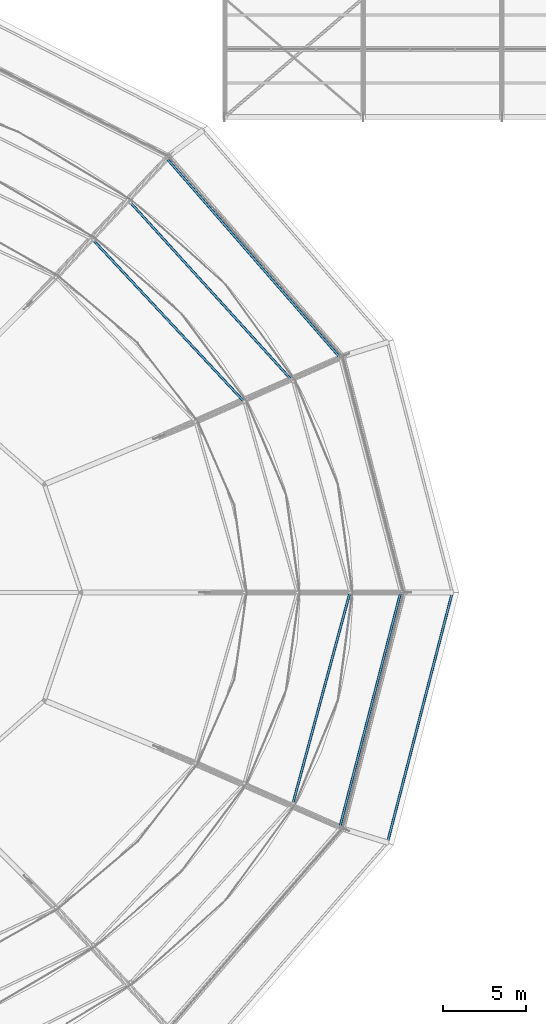
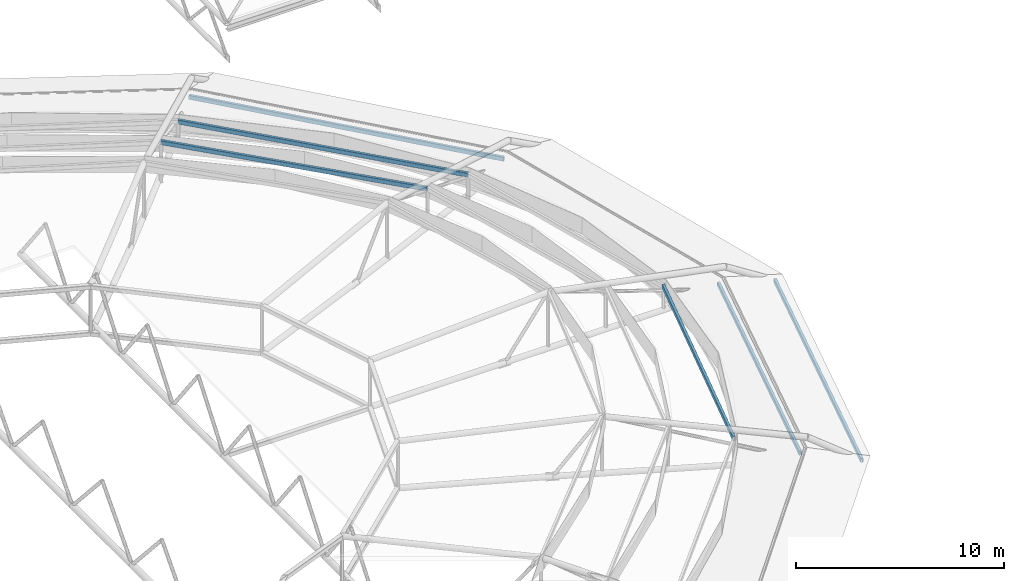
# One storey, part 38 of 134: 6 beams.
"""IFC4 building model written with IfcOpenShell, lengths in metres."""

from ifc_helpers import new_model, si_unit, derived_unit, direction, frame, origin, origin_2d, place, context, subcontext, project, spatial, hollow_rectangle, extrude, material, material_profile, profile_set, type_object, element, save


model = new_model("IFC4")

# Units and contexts
model_context = context("Model", 3, precision=1e-05, world=origin(), true_north=direction((0.0, 1.0)))
body_context = subcontext(model_context, "Body", "Model", "MODEL_VIEW")
ifc_project = project(units=[si_unit("LENGTHUNIT", "METRE"), si_unit("AREAUNIT", "SQUARE_METRE"), si_unit("VOLUMEUNIT", "CUBIC_METRE"), si_unit("PLANEANGLEUNIT", "RADIAN"), si_unit("MASSUNIT", "GRAM", prefix="KILO"), derived_unit("THERMALTRANSMITTANCEUNIT", [(si_unit("MASSUNIT", "GRAM", prefix="KILO"), 1), (si_unit("TIMEUNIT", "SECOND"), -3), (si_unit("THERMODYNAMICTEMPERATUREUNIT", "KELVIN"), -1)])], contexts=[model_context])

# Site, building, storey
site_placement = place(None, origin())
site = spatial("IfcSite", under=ifc_project, at=site_placement, CompositionType="ELEMENT")
building_placement = place(site_placement, origin())
building = spatial("IfcBuilding", under=site, at=building_placement, Name="Kharveza Railside Sports Centre", CompositionType="ELEMENT")
storey_placement = place(building_placement, frame((0.0, 0.0, 12.89990234375)))
storey = spatial("IfcBuildingStorey", under=building, at=storey_placement, Name="L03", CompositionType="ELEMENT", Elevation=12.89990234375)

# Beams
ifc_material = material(Name="Steel S355J2", Category="steel")
ifc_material_profile = material_profile(ifc_material, hollow_rectangle(XDim=0.14990234375, YDim=0.25, WallThickness=0.010009765625, InnerFilletRadius=0.010009765625, OuterFilletRadius=0.02001953125, at=origin_2d()), Name="RHS 150x250x10.0")
ifc_profile_set = profile_set([ifc_material_profile], Name="Steel S355J2")
beam_type = type_object("IfcBeamType", Name="BM-SP04", PredefinedType="SPANDREL", material=ifc_profile_set)
beam_1_placement = place(storey_placement, frame((99.38037109375, 64.646240234375, 0.405029296875), z_axis=(-0.656355408567, 0.754451839181, 0.0), x_axis=(-0.754451839181, -0.656355408567, 0.0)))
element("IfcBeam", 1, at=beam_1_placement, inside=storey, type_object=beam_type, Name="BM-LIDRING-S1-02", PredefinedType="SPANDREL", context=body_context, shape_type="SweptSolid", body=[
    extrude(hollow_rectangle(XDim=0.14990234375, YDim=0.25, WallThickness=0.010009765625, InnerFilletRadius=0.010009765625, OuterFilletRadius=0.02001953125, at=origin_2d()), origin(), (0.0, 0.0, 1.0), 16.0078125),
])
beam_2_placement = place(storey_placement, frame((99.38037109375, 36.15380859375, 0.405029296875), z_axis=(0.250724368606, 0.968058516303, 0.0), x_axis=(-0.968058516303, 0.250724368606, 0.0)))
element("IfcBeam", 2, at=beam_2_placement, inside=storey, type_object=beam_type, Name="BM-LIDRING-S1-16", PredefinedType="SPANDREL", context=body_context, shape_type="SweptSolid", body=[
    extrude(hollow_rectangle(XDim=0.14990234375, YDim=0.25, WallThickness=0.010009765625, InnerFilletRadius=0.010009765625, OuterFilletRadius=0.02001953125, at=origin_2d()), origin(), (0.0, 0.0, 1.0), 14.716064453125),
])
beam_3_placement = place(storey_placement, frame((96.544189453125, 63.181640625, 1.35498046875), z_axis=(-0.672333188061, 0.740248663782, 0.0), x_axis=(-0.740248663782, -0.672333188061, 0.0)))
element("IfcBeam", 3, at=beam_3_placement, inside=storey, type_object=beam_type, Name="BM-LIDRING-S2-02", PredefinedType="SPANDREL", context=body_context, shape_type="SweptSolid", body=[
    extrude(hollow_rectangle(XDim=0.14990234375, YDim=0.25, WallThickness=0.010009765625, InnerFilletRadius=0.010009765625, OuterFilletRadius=0.02001953125, at=origin_2d()), origin(), (0.0, 0.0, 1.0), 14.637939453125),
])
beam_4_placement = place(storey_placement, frame((96.544189453125, 37.618408203125, 1.35498046875), z_axis=(0.26100423144, 0.965337656559, 0.0), x_axis=(-0.965337656559, 0.26100423144, 0.0)))
element("IfcBeam", 4, at=beam_4_placement, inside=storey, type_object=beam_type, Name="BM-LIDRING-S2-16", PredefinedType="SPANDREL", context=body_context, shape_type="SweptSolid", body=[
    extrude(hollow_rectangle(XDim=0.14990234375, YDim=0.25, WallThickness=0.010009765625, InnerFilletRadius=0.010009765625, OuterFilletRadius=0.02001953125, at=origin_2d()), origin(), (0.0, 0.0, 1.0), 13.240478515625),
])
beam_5_placement = place(storey_placement, frame((93.587646484375, 61.95703125, 2.30517578125), z_axis=(-0.682448677194, 0.730933514758, 0.0), x_axis=(-0.730933514758, -0.682448677194, 0.0)))
element("IfcBeam", 5, at=beam_5_placement, inside=storey, type_object=beam_type, Name="BM-LIDRING-S3-02", PredefinedType="SPANDREL", context=body_context, shape_type="SweptSolid", body=[
    extrude(hollow_rectangle(XDim=0.14990234375, YDim=0.25, WallThickness=0.010009765625, InnerFilletRadius=0.010009765625, OuterFilletRadius=0.02001953125, at=origin_2d()), origin(), (0.0, 0.0, 1.0), 13.404296875),
])
beam_6_placement = place(storey_placement, frame((102.272216796875, 35.245849609375, -0.47998046875), z_axis=(0.250896670111, 0.968013874346, 0.0), x_axis=(-0.968013874346, 0.250896670111, 0.0)))
element("IfcBeam", 6, at=beam_6_placement, inside=storey, type_object=beam_type, Name="BM-LIDRING-RIM-16", PredefinedType="SPANDREL", context=body_context, shape_type="SweptSolid", body=[
    extrude(hollow_rectangle(XDim=0.14990234375, YDim=0.25, WallThickness=0.010009765625, InnerFilletRadius=0.010009765625, OuterFilletRadius=0.02001953125, at=origin_2d()), origin(), (0.0, 0.0, 1.0), 15.65478515625),
])

save(model, "model.ifc")
